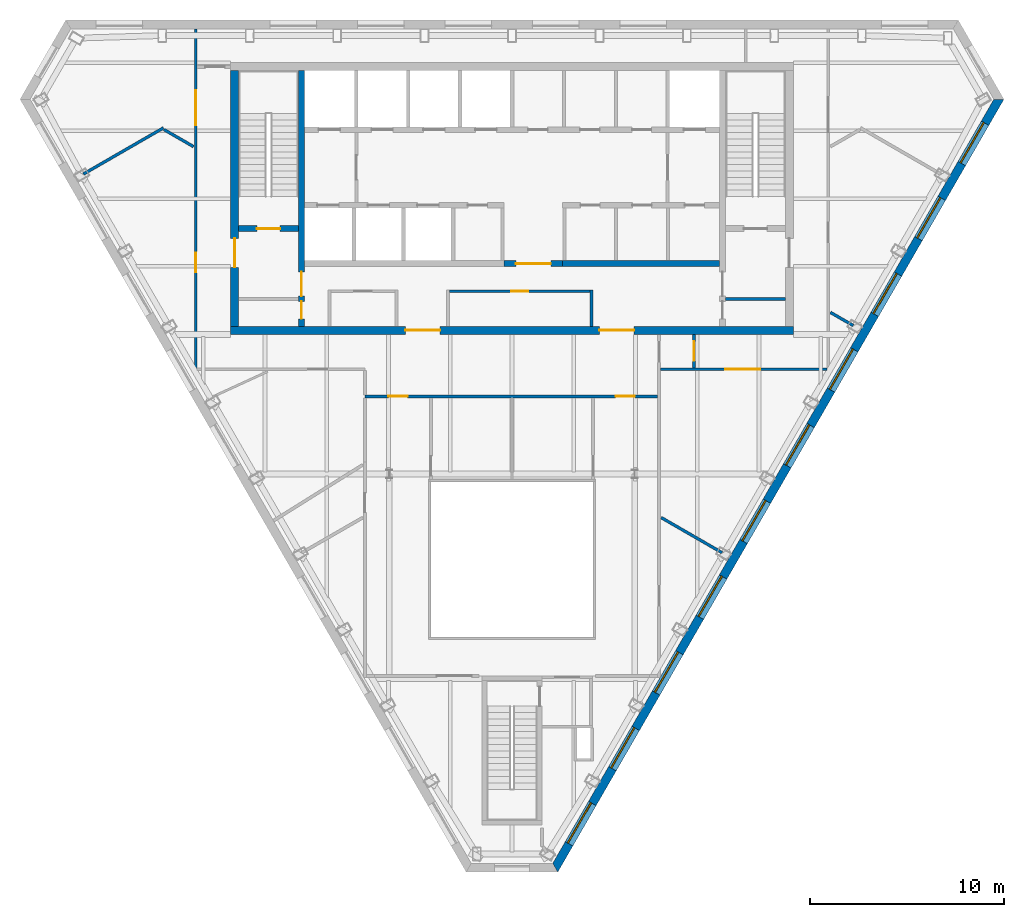
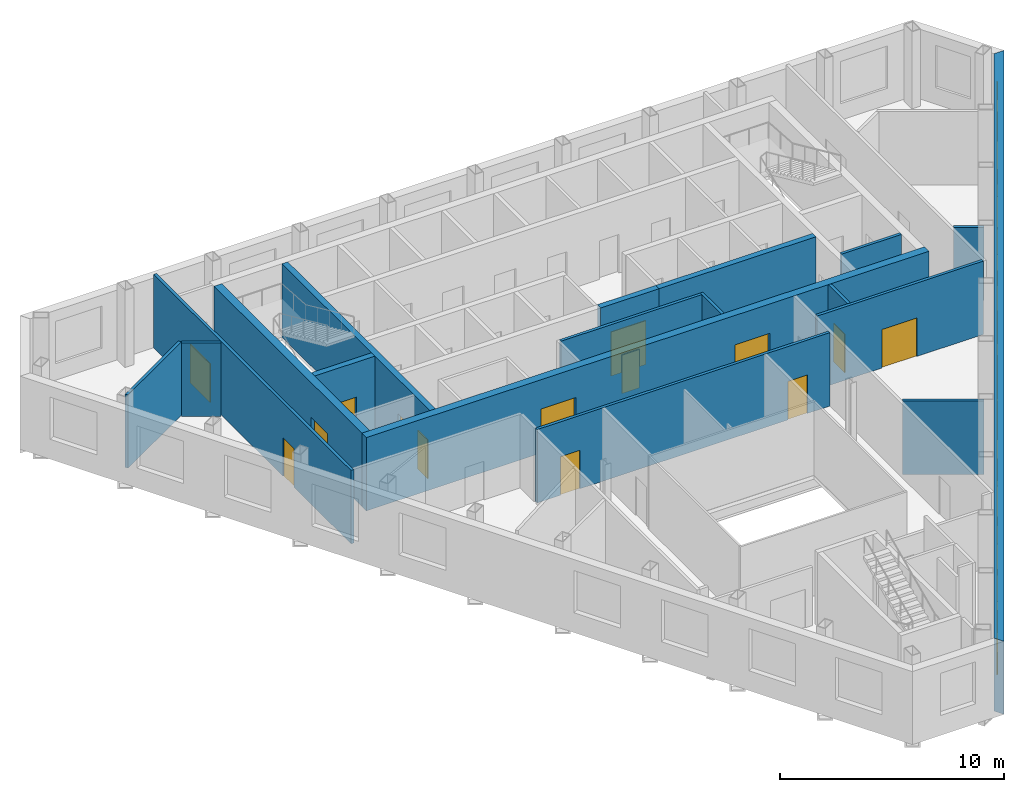
# One storey, part 5 of 10: 18 walls, 14 doors, 10 windows, 24 openings.
"""IFC4 building model written with IfcOpenShell, lengths in metres."""

from ifc_helpers import new_model, si_unit, direction, frame, frame_2d, origin, place, context, subcontext, project, spatial, polyline, rectangle, outline, extrude, material, layer, layer_set, type_object, element, fill, save


model = new_model("IFC4")

# Units and contexts
model_context = context("Model", 3, precision=1e-05, world=origin(), true_north=direction((0.0, 1.0)))
body_context = subcontext(model_context, "Body", "Model", "MODEL_VIEW")
ifc_project = project(units=[si_unit("LENGTHUNIT", "METRE"), si_unit("AREAUNIT", "SQUARE_METRE"), si_unit("VOLUMEUNIT", "CUBIC_METRE"), si_unit("PLANEANGLEUNIT", "RADIAN"), si_unit("MASSUNIT", "GRAM", prefix="KILO")], contexts=[model_context])

# Site, building, storey
site_placement = place(None, origin())
site = spatial("IfcSite", under=ifc_project, at=site_placement, CompositionType="ELEMENT")
building_placement = place(site_placement, origin())
building = spatial("IfcBuilding", under=site, at=building_placement, Name="Njiva Tower", CompositionType="ELEMENT")
storey_placement = place(building_placement, frame((0.0, 0.0, 304.2)))
storey = spatial("IfcBuildingStorey", under=building, at=storey_placement, Name="L69", CompositionType="ELEMENT", Elevation=304.2)

# Walls
ifc_material_1 = material(Name="Blockwork", Category="masonry")
ifc_layer_1 = layer(ifc_material_1, 0.15)
ifc_layer_set_1 = layer_set([ifc_layer_1], Name="Blockwork")
wall_type_1 = type_object("IfcWallType", Name="WT1 Compartment partition 150", PredefinedType="PARTITIONING", material=ifc_layer_set_1)
wall_1_placement = place(storey_placement, frame((11.0, 5.825, 0.0), z_axis=(0.0, 0.0, 1.0), x_axis=(1.0, 0.0, 0.0)))
element("IfcWall", 1, at=wall_1_placement, inside=storey, type_object=wall_type_1, Name="Room wall B", PredefinedType="PARTITIONING", context=body_context, shape_type="SweptSolid", body=[
    extrude(rectangle(XDim=3.1, YDim=0.15, at=frame_2d((1.55, 0.0))), origin(), (0.0, 0.0, 1.0), 4.0),
])
wall_2_placement = place(storey_placement, frame((4.1, 4.4, 0.0), z_axis=(0.0, 0.0, 1.0), x_axis=(0.0, 1.0, 0.0)))
element("IfcWall", 2, at=wall_2_placement, inside=storey, type_object=wall_type_1, Name="Concierge office wall east", PredefinedType="PARTITIONING", context=body_context, shape_type="SweptSolid", body=[
    extrude(rectangle(XDim=1.895, YDim=0.15, at=frame_2d((0.9475, 0.0))), origin(), (0.0, 0.0, 1.0), 4.0),
])

# Wall, opening, door
wall_3_placement = place(storey_placement, frame((-3.225, 6.22, 0.0), z_axis=(0.0, 0.0, 1.0), x_axis=(1.0, 0.0, 0.0)))
wall_3 = element("IfcWall", 3, at=wall_3_placement, inside=storey, type_object=wall_type_1, Name="Concierge office wall north", PredefinedType="PARTITIONING", context=body_context, shape_type="SweptSolid", body=[
    extrude(rectangle(XDim=7.25, YDim=0.15, at=frame_2d((3.625, 0.0))), origin(), (0.0, 0.0, 1.0), 4.0),
])
opening_1_placement = place(wall_3_placement, frame((3.175, 0.0, 0.0)))
opening_1 = element("IfcOpeningElement", 4, at=opening_1_placement, cuts=wall_3, Name="Opening S23-D927", PredefinedType="OPENING", context=body_context, shape_type="SweptSolid", body=[
    extrude(rectangle(XDim=0.9, YDim=2.1, at=frame_2d((0.45, 1.05))), frame((0.0, 0.085, 0.0), z_axis=(0.0, -1.0, 0.0), x_axis=(1.0, 0.0, 0.0)), (0.0, 0.0, 1.0), 0.17),
])
ifc_material_2 = material(Name="Steel fire door, painted", Category="steel")
door_type_1 = type_object("IfcDoorType", Name="D6 Fire-rated door 900x2100", OperationType="SINGLE_SWING_LEFT", PredefinedType="DOOR", material=ifc_material_2)
door_1_placement = place(opening_1_placement, origin())
door_1 = element("IfcDoor", 5, at=door_1_placement, inside=storey, type_object=door_type_1, Name="Concierge office door", OperationType="SINGLE_SWING_LEFT", OverallHeight=2.1, OverallWidth=0.9, PredefinedType="DOOR", context=body_context, shape_type="SweptSolid", body=[
    extrude(rectangle(XDim=0.9, YDim=2.1, at=frame_2d((0.45, 1.05))), frame((0.0, 0.025, 0.0), z_axis=(0.0, -1.0, 0.0), x_axis=(1.0, 0.0, 0.0)), (0.0, 0.0, 1.0), 0.05),
])
fill(opening_1, door_1)

# Wall, openings, doors
ifc_material_3 = material(Name="Concrete C40/50", Category="concrete")
ifc_layer_2 = layer(ifc_material_3, 0.3)
ifc_layer_set_2 = layer_set([ifc_layer_2], Name="Concrete C40/50")
wall_type_2 = type_object("IfcWallType", Name="WT10 Stair enclosure wall 300", PredefinedType="SHEAR", material=ifc_layer_set_2)
wall_4_placement = place(storey_placement, frame((-10.85, 4.4, 0.0), z_axis=(0.0, 0.0, 1.0), x_axis=(0.0, 1.0, 0.0)))
wall_4 = element("IfcWall", 6, at=wall_4_placement, inside=storey, type_object=wall_type_2, Name="Stair wall west inner", PredefinedType="SHEAR", context=body_context, shape_type="SweptSolid", body=[
    extrude(rectangle(XDim=13.2, YDim=0.3, at=frame_2d((6.6, 0.0))), origin(), (0.0, 0.0, 1.0), 4.0),
])
opening_2_placement = place(wall_4_placement, frame((1.575, 0.0, 0.0)))
opening_2 = element("IfcOpeningElement", 7, at=opening_2_placement, cuts=wall_4, Name="Opening S23-D918", PredefinedType="OPENING", context=body_context, shape_type="SweptSolid", body=[
    extrude(rectangle(XDim=1.25, YDim=2.1, at=frame_2d((0.625, 1.05))), frame((0.0, 0.16, 0.0), z_axis=(0.0, -1.0, 0.0), x_axis=(1.0, 0.0, 0.0)), (0.0, 0.0, 1.0), 0.32),
])
opening_3_placement = place(wall_4_placement, frame((0.4, 0.0, 0.0)))
opening_3 = element("IfcOpeningElement", 8, at=opening_3_placement, cuts=wall_4, Name="Opening S23-D920", PredefinedType="OPENING", context=body_context, shape_type="SweptSolid", body=[
    extrude(rectangle(XDim=0.9, YDim=2.1, at=frame_2d((0.45, 1.05))), frame((0.0, 0.16, 0.0), z_axis=(0.0, -1.0, 0.0), x_axis=(1.0, 0.0, 0.0)), (0.0, 0.0, 1.0), 0.32),
])
ifc_material_4 = material(Name="Steel door, painted", Category="steel")
door_type_2 = type_object("IfcDoorType", Name="D13 Steel door 900x2100", OperationType="SINGLE_SWING_LEFT", PredefinedType="DOOR", material=ifc_material_4)
door_2_placement = place(opening_3_placement, origin())
door_2 = element("IfcDoor", 9, at=door_2_placement, inside=storey, type_object=door_type_2, Name="Business centre door", OperationType="SINGLE_SWING_RIGHT", OverallHeight=2.1, OverallWidth=0.9, PredefinedType="DOOR", context=body_context, shape_type="SweptSolid", body=[
    extrude(rectangle(XDim=0.9, YDim=2.1, at=frame_2d((0.45, 1.05))), frame((0.0, 0.025, 0.0), z_axis=(0.0, -1.0, 0.0), x_axis=(1.0, 0.0, 0.0)), (0.0, 0.0, 1.0), 0.05),
])
fill(opening_3, door_2)
ifc_material_5 = material(Name="Glazed steel fire door", Category="steel")
door_type_3 = type_object("IfcDoorType", Name="D8 Vestibule corridor door 1250x2100 glazed", OperationType="SINGLE_SWING_LEFT", PredefinedType="DOOR", material=ifc_material_5)
door_3_placement = place(opening_2_placement, origin())
door_3 = element("IfcDoor", 10, at=door_3_placement, inside=storey, type_object=door_type_3, Name="Stair vestibule corridor door", OperationType="SINGLE_SWING_LEFT", OverallHeight=2.1, OverallWidth=1.25, PredefinedType="DOOR", context=body_context, shape_type="SweptSolid", body=[
    extrude(rectangle(XDim=1.25, YDim=2.1, at=frame_2d((0.625, 1.05))), frame((0.0, 0.025, 0.0), z_axis=(0.0, -1.0, 0.0), x_axis=(1.0, 0.0, 0.0)), (0.0, 0.0, 1.0), 0.05),
])
fill(opening_2, door_3)

# Wall, opening, door
wall_5_placement = place(storey_placement, frame((-14.1, 9.45, 0.0), z_axis=(0.0, 0.0, 1.0), x_axis=(1.0, 0.0, 0.0)))
wall_5 = element("IfcWall", 11, at=wall_5_placement, inside=storey, type_object=wall_type_2, Name="Stair A south wall", PredefinedType="SHEAR", context=body_context, shape_type="SweptSolid", body=[
    extrude(rectangle(XDim=3.1, YDim=0.3, at=frame_2d((1.55, 0.0))), origin(), (0.0, 0.0, 1.0), 4.0),
])
opening_4_placement = place(wall_5_placement, frame((0.95, 0.0, 0.0)))
opening_4 = element("IfcOpeningElement", 12, at=opening_4_placement, cuts=wall_5, Name="Opening S23-D917", PredefinedType="OPENING", context=body_context, shape_type="SweptSolid", body=[
    extrude(rectangle(XDim=1.2, YDim=2.1, at=frame_2d((0.6, 1.05))), frame((0.0, 0.16, 0.0), z_axis=(0.0, -1.0, 0.0), x_axis=(1.0, 0.0, 0.0)), (0.0, 0.0, 1.0), 0.32),
])
door_type_4 = type_object("IfcDoorType", Name="D7 Stair vestibule door 1200x2100 glazed", OperationType="SINGLE_SWING_LEFT", PredefinedType="DOOR", material=ifc_material_5)
door_4_placement = place(opening_4_placement, origin())
door_4 = element("IfcDoor", 13, at=door_4_placement, inside=storey, type_object=door_type_4, Name="Stair A door", OperationType="SINGLE_SWING_LEFT", OverallHeight=2.1, OverallWidth=1.2, PredefinedType="DOOR", context=body_context, shape_type="SweptSolid", body=[
    extrude(rectangle(XDim=1.2, YDim=2.1, at=frame_2d((0.6, 1.05))), frame((0.0, 0.025, 0.0), z_axis=(0.0, -1.0, 0.0), x_axis=(1.0, 0.0, 0.0)), (0.0, 0.0, 1.0), 0.05),
])
fill(opening_4, door_4)

# Wall, openings, doors
ifc_material_6 = material(Name="Concrete C60/75", Category="concrete")
ifc_layer_3 = layer(ifc_material_6, 0.4)
ifc_layer_set_3 = layer_set([ifc_layer_3], Name="Concrete C60/75")
wall_type_3 = type_object("IfcWallType", Name="WT11 Core wall 400", PredefinedType="SHEAR", material=ifc_layer_set_3)
wall_6_placement = place(storey_placement, frame((-14.5, 4.2, 0.0), z_axis=(0.0, 0.0, 1.0), x_axis=(1.0, 0.0, 0.0)))
wall_6 = element("IfcWall", 14, at=wall_6_placement, inside=storey, type_object=wall_type_3, Name="Core wall south", PredefinedType="SHEAR", context=body_context, shape_type="SweptSolid", body=[
    extrude(rectangle(XDim=29.0, YDim=0.4, at=frame_2d((14.5, 0.0))), origin(), (0.0, 0.0, 1.0), 4.0),
])
opening_5_placement = place(wall_6_placement, frame((9.0, 0.0, 0.0)))
opening_5 = element("IfcOpeningElement", 15, at=opening_5_placement, cuts=wall_6, Name="Opening S23-D929", PredefinedType="OPENING", context=body_context, shape_type="SweptSolid", body=[
    extrude(rectangle(XDim=1.8, YDim=2.4, at=frame_2d((0.9, 1.2))), frame((0.0, 0.21, 0.0), z_axis=(0.0, -1.0, 0.0), x_axis=(1.0, 0.0, 0.0)), (0.0, 0.0, 1.0), 0.42),
])
opening_6_placement = place(wall_6_placement, frame((19.0, 0.0, 0.0)))
opening_6 = element("IfcOpeningElement", 16, at=opening_6_placement, cuts=wall_6, Name="Opening S23-D930", PredefinedType="OPENING", context=body_context, shape_type="SweptSolid", body=[
    extrude(rectangle(XDim=1.8, YDim=2.4, at=frame_2d((0.9, 1.2))), frame((0.0, 0.21, 0.0), z_axis=(0.0, -1.0, 0.0), x_axis=(1.0, 0.0, 0.0)), (0.0, 0.0, 1.0), 0.42),
])
ifc_material_7 = material(Name="Steel and glass door", Category="steel")
door_type_5 = type_object("IfcDoorType", Name="D3 Core entrance door 1800x2400", OperationType="DOUBLE_DOOR_SINGLE_SWING", PredefinedType="DOOR", material=ifc_material_7)
door_5_placement = place(opening_5_placement, origin())
door_5 = element("IfcDoor", 17, at=door_5_placement, inside=storey, type_object=door_type_5, Name="Core entrance door", OperationType="DOUBLE_DOOR_SINGLE_SWING", OverallHeight=2.4, OverallWidth=1.8, PredefinedType="DOOR", context=body_context, shape_type="SweptSolid", body=[
    extrude(rectangle(XDim=1.8, YDim=2.4, at=frame_2d((0.9, 1.2))), frame((0.0, 0.025, 0.0), z_axis=(0.0, -1.0, 0.0), x_axis=(1.0, 0.0, 0.0)), (0.0, 0.0, 1.0), 0.05),
])
fill(opening_5, door_5)
door_6_placement = place(opening_6_placement, origin())
door_6 = element("IfcDoor", 18, at=door_6_placement, inside=storey, type_object=door_type_5, Name="Core entrance door", OperationType="DOUBLE_DOOR_SINGLE_SWING", OverallHeight=2.4, OverallWidth=1.8, PredefinedType="DOOR", context=body_context, shape_type="SweptSolid", body=[
    extrude(rectangle(XDim=1.8, YDim=2.4, at=frame_2d((0.9, 1.2))), frame((0.0, 0.025, 0.0), z_axis=(0.0, -1.0, 0.0), x_axis=(1.0, 0.0, 0.0)), (0.0, 0.0, 1.0), 0.05),
])
fill(opening_6, door_6)

# Wall, opening, door
wall_7_placement = place(storey_placement, frame((-14.3, 4.4, 0.0), z_axis=(0.0, 0.0, 1.0), x_axis=(0.0, 1.0, 0.0)))
wall_7 = element("IfcWall", 19, at=wall_7_placement, inside=storey, type_object=wall_type_3, Name="Core wall west", PredefinedType="SHEAR", context=body_context, shape_type="SweptSolid", body=[
    extrude(rectangle(XDim=13.2, YDim=0.4, at=frame_2d((6.6, 0.0))), origin(), (0.0, 0.0, 1.0), 4.0),
])
opening_7_placement = place(wall_7_placement, frame((3.05, 0.0, 0.0)))
opening_7 = element("IfcOpeningElement", 20, at=opening_7_placement, cuts=wall_7, Name="Opening S23-D919", PredefinedType="OPENING", context=body_context, shape_type="SweptSolid", body=[
    extrude(rectangle(XDim=1.5, YDim=2.1, at=frame_2d((0.75, 1.05))), frame((0.0, 0.21, 0.0), z_axis=(0.0, -1.0, 0.0), x_axis=(1.0, 0.0, 0.0)), (0.0, 0.0, 1.0), 0.42),
])
door_type_6 = type_object("IfcDoorType", Name="D10 Exit door double 1500x2100 glazed", OperationType="DOUBLE_DOOR_SINGLE_SWING", PredefinedType="DOOR", material=ifc_material_5)
door_7_placement = place(opening_7_placement, origin())
door_7 = element("IfcDoor", 21, at=door_7_placement, inside=storey, type_object=door_type_6, Name="Stair A corridor door", OperationType="DOUBLE_DOOR_SINGLE_SWING", OverallHeight=2.1, OverallWidth=1.5, PredefinedType="DOOR", context=body_context, shape_type="SweptSolid", body=[
    extrude(rectangle(XDim=1.5, YDim=2.1, at=frame_2d((0.75, 1.05))), frame((0.0, 0.025, 0.0), z_axis=(0.0, -1.0, 0.0), x_axis=(1.0, 0.0, 0.0)), (0.0, 0.0, 1.0), 0.05),
])
fill(opening_7, door_7)

# Walls
ifc_material_8 = material(Name="Gypsum board on steel studs", Category="gypsum")
ifc_layer_4 = layer(ifc_material_8, 0.15)
ifc_layer_set_4 = layer_set([ifc_layer_4], Name="Gypsum board on steel studs")
wall_type_4 = type_object("IfcWallType", Name="WT21 Compartment wall 150", PredefinedType="PARTITIONING", material=ifc_layer_set_4)
wall_8_placement = place(storey_placement, frame((-22.092, 12.261, 0.0), z_axis=(0.0, 0.0, 1.0), x_axis=(0.866248432975, 0.499613502989, 0.0)))
element("IfcWall", 22, at=wall_8_placement, inside=storey, type_object=wall_type_4, Name="Partition S23-P001", PredefinedType="PARTITIONING", context=body_context, shape_type="SweptSolid", body=[
    extrude(rectangle(XDim=4.7677, YDim=0.15, at=frame_2d((2.3838, 0.0))), origin(), (0.0, 0.0, 1.0), 4.0),
])
wall_9_placement = place(storey_placement, frame((-17.938, 14.555, 0.0), z_axis=(0.0, 0.0, 1.0), x_axis=(0.866034375916, -0.49998445949, 0.0)))
element("IfcWall", 23, at=wall_9_placement, inside=storey, type_object=wall_type_4, Name="Partition S23-P002", PredefinedType="PARTITIONING", context=body_context, shape_type="SweptSolid", body=[
    extrude(rectangle(XDim=1.7621, YDim=0.15, at=frame_2d((0.881, 0.0))), origin(), (0.0, 0.0, 1.0), 4.0),
])

# Wall, openings, doors
wall_10_placement = place(storey_placement, frame((-16.3, 2.125, 0.0), z_axis=(0.0, 0.0, 1.0), x_axis=(0.0, 1.0, 0.0)))
wall_10 = element("IfcWall", 24, at=wall_10_placement, inside=storey, type_object=wall_type_4, Name="Partition S23-P003", PredefinedType="PARTITIONING", context=body_context, shape_type="SweptSolid", body=[
    extrude(rectangle(XDim=17.623, YDim=0.15, at=frame_2d((8.8115, 0.0))), origin(), (0.0, 0.0, 1.0), 4.0),
])
opening_8_placement = place(wall_10_placement, frame((5.078, 0.0, 0.0)))
opening_8 = element("IfcOpeningElement", 25, at=opening_8_placement, cuts=wall_10, Name="Opening S23-D001", PredefinedType="OPENING", context=body_context, shape_type="SweptSolid", body=[
    extrude(rectangle(XDim=1.0, YDim=2.1, at=frame_2d((0.5, 1.05))), frame((0.0, 0.085, 0.0), z_axis=(0.0, -1.0, 0.0), x_axis=(1.0, 0.0, 0.0)), (0.0, 0.0, 1.0), 0.17),
])
opening_9_placement = place(wall_10_placement, frame((12.654, 0.0, 0.0)))
opening_9 = element("IfcOpeningElement", 26, at=opening_9_placement, cuts=wall_10, Name="Opening S23-D002", PredefinedType="OPENING", context=body_context, shape_type="SweptSolid", body=[
    extrude(rectangle(XDim=1.8, YDim=2.1, at=frame_2d((0.9, 1.05))), frame((0.0, 0.085, 0.0), z_axis=(0.0, -1.0, 0.0), x_axis=(1.0, 0.0, 0.0)), (0.0, 0.0, 1.0), 0.17),
])
ifc_material_9 = material(Name="Steel fire door set", Category="steel")
door_type_7 = type_object("IfcDoorType", Name="D37 Fire door 1000x2100", OperationType="SINGLE_SWING_LEFT", PredefinedType="DOOR", material=ifc_material_9)
door_8_placement = place(opening_8_placement, origin())
door_8 = element("IfcDoor", 27, at=door_8_placement, inside=storey, type_object=door_type_7, Name="Door S23-D001", OperationType="SINGLE_SWING_RIGHT", OverallHeight=2.1, OverallWidth=1.0, PredefinedType="DOOR", context=body_context, shape_type="SweptSolid", body=[
    extrude(rectangle(XDim=1.0, YDim=2.1, at=frame_2d((0.5, 1.05))), frame((0.0, 0.025, 0.0), z_axis=(0.0, -1.0, 0.0), x_axis=(1.0, 0.0, 0.0)), (0.0, 0.0, 1.0), 0.05),
])
fill(opening_8, door_8)
door_type_8 = type_object("IfcDoorType", Name="D38 Fire door 1800x2100", OperationType="DOUBLE_DOOR_SINGLE_SWING", PredefinedType="DOOR", material=ifc_material_9)
door_9_placement = place(opening_9_placement, origin())
door_9 = element("IfcDoor", 28, at=door_9_placement, inside=storey, type_object=door_type_8, Name="Door S23-D002", OperationType="DOUBLE_DOOR_SINGLE_SWING", OverallHeight=2.1, OverallWidth=1.8, PredefinedType="DOOR", context=body_context, shape_type="SweptSolid", body=[
    extrude(rectangle(XDim=1.8, YDim=2.1, at=frame_2d((0.9, 1.05))), frame((0.0, 0.025, 0.0), z_axis=(0.0, -1.0, 0.0), x_axis=(1.0, 0.0, 0.0)), (0.0, 0.0, 1.0), 0.05),
])
fill(opening_9, door_9)

wall_11_placement = place(storey_placement, frame((-7.58, 0.8, 0.0), z_axis=(0.0, 0.0, 1.0), x_axis=(1.0, 0.0, 0.0)))
wall_11 = element("IfcWall", 29, at=wall_11_placement, inside=storey, type_object=wall_type_4, Name="Partition S23-P011", PredefinedType="PARTITIONING", context=body_context, shape_type="SweptSolid", body=[
    extrude(rectangle(XDim=15.085, YDim=0.15, at=frame_2d((7.5425, 0.0))), origin(), (0.0, 0.0, 1.0), 4.0),
])
opening_10_placement = place(wall_11_placement, frame((1.206, 0.0, 0.0)))
opening_10 = element("IfcOpeningElement", 30, at=opening_10_placement, cuts=wall_11, Name="Opening S23-D006", PredefinedType="OPENING", context=body_context, shape_type="SweptSolid", body=[
    extrude(rectangle(XDim=1.0, YDim=2.1, at=frame_2d((0.5, 1.05))), frame((0.0, 0.085, 0.0), z_axis=(0.0, -1.0, 0.0), x_axis=(1.0, 0.0, 0.0)), (0.0, 0.0, 1.0), 0.17),
])
opening_11_placement = place(wall_11_placement, frame((12.917, 0.0, 0.0)))
opening_11 = element("IfcOpeningElement", 31, at=opening_11_placement, cuts=wall_11, Name="Opening S23-D007", PredefinedType="OPENING", context=body_context, shape_type="SweptSolid", body=[
    extrude(rectangle(XDim=1.0, YDim=2.1, at=frame_2d((0.5, 1.05))), frame((0.0, 0.085, 0.0), z_axis=(0.0, -1.0, 0.0), x_axis=(1.0, 0.0, 0.0)), (0.0, 0.0, 1.0), 0.17),
])
door_10_placement = place(opening_10_placement, origin())
door_10 = element("IfcDoor", 32, at=door_10_placement, inside=storey, type_object=door_type_7, Name="Door S23-D006", OperationType="SINGLE_SWING_RIGHT", OverallHeight=2.1, OverallWidth=1.0, PredefinedType="DOOR", context=body_context, shape_type="SweptSolid", body=[
    extrude(rectangle(XDim=1.0, YDim=2.1, at=frame_2d((0.5, 1.05))), frame((0.0, 0.025, 0.0), z_axis=(0.0, -1.0, 0.0), x_axis=(1.0, 0.0, 0.0)), (0.0, 0.0, 1.0), 0.05),
])
fill(opening_10, door_10)
door_11_placement = place(opening_11_placement, origin())
door_11 = element("IfcDoor", 33, at=door_11_placement, inside=storey, type_object=door_type_7, Name="Door S23-D007", OperationType="SINGLE_SWING_LEFT", OverallHeight=2.1, OverallWidth=1.0, PredefinedType="DOOR", context=body_context, shape_type="SweptSolid", body=[
    extrude(rectangle(XDim=1.0, YDim=2.1, at=frame_2d((0.5, 1.05))), frame((0.0, 0.025, 0.0), z_axis=(0.0, -1.0, 0.0), x_axis=(1.0, 0.0, 0.0)), (0.0, 0.0, 1.0), 0.05),
])
fill(opening_11, door_11)

# Wall, opening, door
wall_12_placement = place(storey_placement, frame((7.655, 2.2, 0.0), z_axis=(0.0, 0.0, 1.0), x_axis=(1.0, 0.0, 0.0)))
wall_12 = element("IfcWall", 34, at=wall_12_placement, inside=storey, type_object=wall_type_4, Name="Partition S23-P021", PredefinedType="PARTITIONING", context=body_context, shape_type="SweptSolid", body=[
    extrude(rectangle(XDim=8.57, YDim=0.15, at=frame_2d((4.285, 0.0))), origin(), (0.0, 0.0, 1.0), 4.0),
])
opening_12_placement = place(wall_12_placement, frame((3.334, 0.0, 0.0)))
opening_12 = element("IfcOpeningElement", 35, at=opening_12_placement, cuts=wall_12, Name="Opening S23-D013", PredefinedType="OPENING", context=body_context, shape_type="SweptSolid", body=[
    extrude(rectangle(XDim=1.8, YDim=2.1, at=frame_2d((0.9, 1.05))), frame((0.0, 0.085, 0.0), z_axis=(0.0, -1.0, 0.0), x_axis=(1.0, 0.0, 0.0)), (0.0, 0.0, 1.0), 0.17),
])
door_12_placement = place(opening_12_placement, origin())
door_12 = element("IfcDoor", 36, at=door_12_placement, inside=storey, type_object=door_type_8, Name="Door S23-D013", OperationType="DOUBLE_DOOR_SINGLE_SWING", OverallHeight=2.1, OverallWidth=1.8, PredefinedType="DOOR", context=body_context, shape_type="SweptSolid", body=[
    extrude(rectangle(XDim=1.8, YDim=2.1, at=frame_2d((0.9, 1.05))), frame((0.0, 0.025, 0.0), z_axis=(0.0, -1.0, 0.0), x_axis=(1.0, 0.0, 0.0)), (0.0, 0.0, 1.0), 0.05),
])
fill(opening_12, door_12)

# Wall
wall_13_placement = place(storey_placement, frame((7.692, -5.445, 0.0), z_axis=(0.0, 0.0, 1.0), x_axis=(0.866194788555, -0.49970650214, 0.0)))
element("IfcWall", 37, at=wall_13_placement, inside=storey, type_object=wall_type_4, Name="Partition S23-P022", PredefinedType="PARTITIONING", context=body_context, shape_type="SweptSolid", body=[
    extrude(rectangle(XDim=3.6181, YDim=0.15, at=frame_2d((1.809, 0.0))), origin(), (0.0, 0.0, 1.0), 4.0),
])

# Wall, opening, door
wall_14_placement = place(storey_placement, frame((9.38, 2.275, 0.0), z_axis=(0.0, 0.0, 1.0), x_axis=(0.0, 1.0, 0.0)))
wall_14 = element("IfcWall", 38, at=wall_14_placement, inside=storey, type_object=wall_type_4, Name="Partition S23-P023", PredefinedType="PARTITIONING", context=body_context, shape_type="SweptSolid", body=[
    extrude(rectangle(XDim=1.725, YDim=0.15, at=frame_2d((0.8625, 0.0))), origin(), (0.0, 0.0, 1.0), 4.0),
])
opening_13_placement = place(wall_14_placement, frame((0.362, 0.0, 0.0)))
opening_13 = element("IfcOpeningElement", 39, at=opening_13_placement, cuts=wall_14, Name="Opening S23-D014", PredefinedType="OPENING", context=body_context, shape_type="SweptSolid", body=[
    extrude(rectangle(XDim=1.0, YDim=2.1, at=frame_2d((0.5, 1.05))), frame((0.0, 0.085, 0.0), z_axis=(0.0, -1.0, 0.0), x_axis=(1.0, 0.0, 0.0)), (0.0, 0.0, 1.0), 0.17),
])
door_13_placement = place(opening_13_placement, origin())
door_13 = element("IfcDoor", 40, at=door_13_placement, inside=storey, type_object=door_type_7, Name="Door S23-D014", OperationType="SINGLE_SWING_LEFT", OverallHeight=2.1, OverallWidth=1.0, PredefinedType="DOOR", context=body_context, shape_type="SweptSolid", body=[
    extrude(rectangle(XDim=1.0, YDim=2.1, at=frame_2d((0.5, 1.05))), frame((0.0, 0.025, 0.0), z_axis=(0.0, -1.0, 0.0), x_axis=(1.0, 0.0, 0.0)), (0.0, 0.0, 1.0), 0.05),
])
fill(opening_13, door_13)

# Wall
wall_15_placement = place(storey_placement, frame((16.412, 5.131, 0.0), z_axis=(0.0, 0.0, 1.0), x_axis=(0.866419132933, -0.499317420173, 0.0)))
element("IfcWall", 41, at=wall_15_placement, inside=storey, type_object=wall_type_4, Name="Partition S23-P027", PredefinedType="PARTITIONING", context=body_context, shape_type="SweptSolid", body=[
    extrude(rectangle(XDim=1.3538, YDim=0.15, at=frame_2d((0.6769, 0.0))), origin(), (0.0, 0.0, 1.0), 4.0),
])

# Wall, opening, door
ifc_layer_5 = layer(ifc_material_1, 0.3)
ifc_layer_set_5 = layer_set([ifc_layer_5], Name="Blockwork")
wall_type_5 = type_object("IfcWallType", Name="WT5 Lobby partition 300", PredefinedType="PARTITIONING", material=ifc_layer_set_5)
wall_16_placement = place(storey_placement, frame((-0.4, 7.65, 0.0), z_axis=(0.0, 0.0, 1.0), x_axis=(1.0, 0.0, 0.0)))
wall_16 = element("IfcWall", 42, at=wall_16_placement, inside=storey, type_object=wall_type_5, Name="Lift lobby screen wall", PredefinedType="PARTITIONING", context=body_context, shape_type="SweptSolid", body=[
    extrude(rectangle(XDim=3.0, YDim=0.3, at=frame_2d((1.5, 0.0))), origin(), (0.0, 0.0, 1.0), 4.0),
])
opening_14_placement = place(wall_16_placement, frame((0.6, 0.0, 0.0)))
opening_14 = element("IfcOpeningElement", 43, at=opening_14_placement, cuts=wall_16, Name="Opening S23-D928", PredefinedType="OPENING", context=body_context, shape_type="SweptSolid", body=[
    extrude(rectangle(XDim=1.8, YDim=2.4, at=frame_2d((0.9, 1.2))), frame((0.0, 0.16, 0.0), z_axis=(0.0, -1.0, 0.0), x_axis=(1.0, 0.0, 0.0)), (0.0, 0.0, 1.0), 0.32),
])
door_14_placement = place(opening_14_placement, origin())
door_14 = element("IfcDoor", 44, at=door_14_placement, inside=storey, type_object=door_type_5, Name="Core entrance door", OperationType="DOUBLE_DOOR_SINGLE_SWING", OverallHeight=2.4, OverallWidth=1.8, PredefinedType="DOOR", context=body_context, shape_type="SweptSolid", body=[
    extrude(rectangle(XDim=1.8, YDim=2.4, at=frame_2d((0.9, 1.2))), frame((0.0, 0.025, 0.0), z_axis=(0.0, -1.0, 0.0), x_axis=(1.0, 0.0, 0.0)), (0.0, 0.0, 1.0), 0.05),
])
fill(opening_14, door_14)

# Wall
ifc_layer_6 = layer(ifc_material_3, 0.3)
ifc_layer_set_6 = layer_set([ifc_layer_6], Name="Concrete C40/50")
wall_type_6 = type_object("IfcWallType", Name="WT7 Lift shaft wall 300", PredefinedType="SHEAR", material=ifc_layer_set_6)
wall_17_placement = place(storey_placement, frame((2.6, 7.65, 0.0), z_axis=(0.0, 0.0, 1.0), x_axis=(1.0, 0.0, 0.0)))
element("IfcWall", 45, at=wall_17_placement, inside=storey, type_object=wall_type_6, Name="Shaft wall south row back E", PredefinedType="SHEAR", context=body_context, shape_type="SweptSolid", body=[
    extrude(rectangle(XDim=8.1, YDim=0.3, at=frame_2d((4.05, 0.0))), origin(), (0.0, 0.0, 1.0), 4.0),
])

# Wall, openings, windows
ifc_material_10 = material(Name="Brick masonry", Category="masonry")
ifc_layer_7 = layer(ifc_material_10, 0.45)
ifc_layer_set_7 = layer_set([ifc_layer_7], Name="Brick masonry")
wall_type_7 = type_object("IfcWallType", Name="WT90 Brick pier and spandrel wall 450", PredefinedType="SOLIDWALL", material=ifc_layer_set_7)
wall_18_placement = place(storey_placement, frame((2.2301, -23.4911, -0.18), z_axis=(0.0, 0.0, 1.0), x_axis=(0.500000141277, 0.866025322218, 0.0)))
wall_18 = element("IfcWall", 46, at=wall_18_placement, inside=storey, type_object=wall_type_7, Name="Facade wall SE", PredefinedType="SOLIDWALL", context=body_context, shape_type="SweptSolid", body=[
    extrude(outline(polyline([(-0.1299, -0.225), (45.8601, -0.225), (45.6003, 0.225), (0.1299, 0.225), (-0.1299, -0.225)])), origin(), (0.0, 0.0, 1.0), 3.98),
])
opening_15_placement = place(wall_18_placement, frame((1.4237, 0.0, 1.08)))
opening_15 = element("IfcOpeningElement", 47, at=opening_15_placement, cuts=wall_18, Name="Opening S23-W19", PredefinedType="OPENING", context=body_context, shape_type="SweptSolid", body=[
    extrude(rectangle(XDim=2.4, YDim=2.3, at=frame_2d((1.2, 1.15))), frame((0.0, 0.235, 0.0), z_axis=(0.0, -1.0, 0.0), x_axis=(1.0, 0.0, 0.0)), (0.0, 0.0, 1.0), 0.47),
])
opening_16_placement = place(wall_18_placement, frame((5.8919, 0.0, 1.08)))
opening_16 = element("IfcOpeningElement", 48, at=opening_16_placement, cuts=wall_18, Name="Opening S23-W20", PredefinedType="OPENING", context=body_context, shape_type="SweptSolid", body=[
    extrude(rectangle(XDim=2.4, YDim=2.3, at=frame_2d((1.2, 1.15))), frame((0.0, 0.235, 0.0), z_axis=(0.0, -1.0, 0.0), x_axis=(1.0, 0.0, 0.0)), (0.0, 0.0, 1.0), 0.47),
])
opening_17_placement = place(wall_18_placement, frame((10.3985, 0.0, 1.08)))
opening_17 = element("IfcOpeningElement", 49, at=opening_17_placement, cuts=wall_18, Name="Opening S23-W21", PredefinedType="OPENING", context=body_context, shape_type="SweptSolid", body=[
    extrude(rectangle(XDim=2.4, YDim=2.3, at=frame_2d((1.2, 1.15))), frame((0.0, 0.235, 0.0), z_axis=(0.0, -1.0, 0.0), x_axis=(1.0, 0.0, 0.0)), (0.0, 0.0, 1.0), 0.47),
])
opening_18_placement = place(wall_18_placement, frame((14.9052, 0.0, 1.08)))
opening_18 = element("IfcOpeningElement", 50, at=opening_18_placement, cuts=wall_18, Name="Opening S23-W22", PredefinedType="OPENING", context=body_context, shape_type="SweptSolid", body=[
    extrude(rectangle(XDim=2.4, YDim=2.3, at=frame_2d((1.2, 1.15))), frame((0.0, 0.235, 0.0), z_axis=(0.0, -1.0, 0.0), x_axis=(1.0, 0.0, 0.0)), (0.0, 0.0, 1.0), 0.47),
])
opening_19_placement = place(wall_18_placement, frame((19.4118, 0.0, 1.08)))
opening_19 = element("IfcOpeningElement", 51, at=opening_19_placement, cuts=wall_18, Name="Opening S23-W23", PredefinedType="OPENING", context=body_context, shape_type="SweptSolid", body=[
    extrude(rectangle(XDim=2.4, YDim=2.3, at=frame_2d((1.2, 1.15))), frame((0.0, 0.235, 0.0), z_axis=(0.0, -1.0, 0.0), x_axis=(1.0, 0.0, 0.0)), (0.0, 0.0, 1.0), 0.47),
])
opening_20_placement = place(wall_18_placement, frame((23.9184, 0.0, 1.08)))
opening_20 = element("IfcOpeningElement", 52, at=opening_20_placement, cuts=wall_18, Name="Opening S23-W24", PredefinedType="OPENING", context=body_context, shape_type="SweptSolid", body=[
    extrude(rectangle(XDim=2.4, YDim=2.3, at=frame_2d((1.2, 1.15))), frame((0.0, 0.235, 0.0), z_axis=(0.0, -1.0, 0.0), x_axis=(1.0, 0.0, 0.0)), (0.0, 0.0, 1.0), 0.47),
])
opening_21_placement = place(wall_18_placement, frame((28.425, 0.0, 1.08)))
opening_21 = element("IfcOpeningElement", 53, at=opening_21_placement, cuts=wall_18, Name="Opening S23-W25", PredefinedType="OPENING", context=body_context, shape_type="SweptSolid", body=[
    extrude(rectangle(XDim=2.4, YDim=2.3, at=frame_2d((1.2, 1.15))), frame((0.0, 0.235, 0.0), z_axis=(0.0, -1.0, 0.0), x_axis=(1.0, 0.0, 0.0)), (0.0, 0.0, 1.0), 0.47),
])
opening_22_placement = place(wall_18_placement, frame((32.9316, 0.0, 1.08)))
opening_22 = element("IfcOpeningElement", 54, at=opening_22_placement, cuts=wall_18, Name="Opening S23-W26", PredefinedType="OPENING", context=body_context, shape_type="SweptSolid", body=[
    extrude(rectangle(XDim=2.4, YDim=2.3, at=frame_2d((1.2, 1.15))), frame((0.0, 0.235, 0.0), z_axis=(0.0, -1.0, 0.0), x_axis=(1.0, 0.0, 0.0)), (0.0, 0.0, 1.0), 0.47),
])
opening_23_placement = place(wall_18_placement, frame((37.4383, 0.0, 1.08)))
opening_23 = element("IfcOpeningElement", 55, at=opening_23_placement, cuts=wall_18, Name="Opening S23-W27", PredefinedType="OPENING", context=body_context, shape_type="SweptSolid", body=[
    extrude(rectangle(XDim=2.4, YDim=2.3, at=frame_2d((1.2, 1.15))), frame((0.0, 0.235, 0.0), z_axis=(0.0, -1.0, 0.0), x_axis=(1.0, 0.0, 0.0)), (0.0, 0.0, 1.0), 0.47),
])
opening_24_placement = place(wall_18_placement, frame((41.9065, 0.0, 1.08)))
opening_24 = element("IfcOpeningElement", 56, at=opening_24_placement, cuts=wall_18, Name="Opening S23-W28", PredefinedType="OPENING", context=body_context, shape_type="SweptSolid", body=[
    extrude(rectangle(XDim=2.4, YDim=2.3, at=frame_2d((1.2, 1.15))), frame((0.0, 0.235, 0.0), z_axis=(0.0, -1.0, 0.0), x_axis=(1.0, 0.0, 0.0)), (0.0, 0.0, 1.0), 0.47),
])
ifc_material_11 = material(Name="Clear glazing in aluminium frame", Category="aluminium")
window_type = type_object("IfcWindowType", Name="W91 Deep-set window 2400x2300", PartitioningType="SINGLE_PANEL", PredefinedType="WINDOW", material=ifc_material_11)
window_1_placement = place(opening_15_placement, origin())
window_1 = element("IfcWindow", 57, at=window_1_placement, inside=storey, type_object=window_type, Name="Window", OverallHeight=2.3, OverallWidth=2.4, PartitioningType="SINGLE_PANEL", PredefinedType="WINDOW", context=body_context, shape_type="SweptSolid", body=[
    extrude(rectangle(XDim=2.4, YDim=2.3, at=frame_2d((1.2, 1.15))), frame((0.0, 0.105, 0.0), z_axis=(0.0, -1.0, 0.0), x_axis=(1.0, 0.0, 0.0)), (0.0, 0.0, 1.0), 0.06),
])
fill(opening_15, window_1)
window_2_placement = place(opening_16_placement, origin())
window_2 = element("IfcWindow", 58, at=window_2_placement, inside=storey, type_object=window_type, Name="Window", OverallHeight=2.3, OverallWidth=2.4, PartitioningType="SINGLE_PANEL", PredefinedType="WINDOW", context=body_context, shape_type="SweptSolid", body=[
    extrude(rectangle(XDim=2.4, YDim=2.3, at=frame_2d((1.2, 1.15))), frame((0.0, 0.105, 0.0), z_axis=(0.0, -1.0, 0.0), x_axis=(1.0, 0.0, 0.0)), (0.0, 0.0, 1.0), 0.06),
])
fill(opening_16, window_2)
window_3_placement = place(opening_17_placement, origin())
window_3 = element("IfcWindow", 59, at=window_3_placement, inside=storey, type_object=window_type, Name="Window", OverallHeight=2.3, OverallWidth=2.4, PartitioningType="SINGLE_PANEL", PredefinedType="WINDOW", context=body_context, shape_type="SweptSolid", body=[
    extrude(rectangle(XDim=2.4, YDim=2.3, at=frame_2d((1.2, 1.15))), frame((0.0, 0.105, 0.0), z_axis=(0.0, -1.0, 0.0), x_axis=(1.0, 0.0, 0.0)), (0.0, 0.0, 1.0), 0.06),
])
fill(opening_17, window_3)
window_4_placement = place(opening_18_placement, origin())
window_4 = element("IfcWindow", 60, at=window_4_placement, inside=storey, type_object=window_type, Name="Window", OverallHeight=2.3, OverallWidth=2.4, PartitioningType="SINGLE_PANEL", PredefinedType="WINDOW", context=body_context, shape_type="SweptSolid", body=[
    extrude(rectangle(XDim=2.4, YDim=2.3, at=frame_2d((1.2, 1.15))), frame((0.0, 0.105, 0.0), z_axis=(0.0, -1.0, 0.0), x_axis=(1.0, 0.0, 0.0)), (0.0, 0.0, 1.0), 0.06),
])
fill(opening_18, window_4)
window_5_placement = place(opening_19_placement, origin())
window_5 = element("IfcWindow", 61, at=window_5_placement, inside=storey, type_object=window_type, Name="Window", OverallHeight=2.3, OverallWidth=2.4, PartitioningType="SINGLE_PANEL", PredefinedType="WINDOW", context=body_context, shape_type="SweptSolid", body=[
    extrude(rectangle(XDim=2.4, YDim=2.3, at=frame_2d((1.2, 1.15))), frame((0.0, 0.105, 0.0), z_axis=(0.0, -1.0, 0.0), x_axis=(1.0, 0.0, 0.0)), (0.0, 0.0, 1.0), 0.06),
])
fill(opening_19, window_5)
window_6_placement = place(opening_20_placement, origin())
window_6 = element("IfcWindow", 62, at=window_6_placement, inside=storey, type_object=window_type, Name="Window", OverallHeight=2.3, OverallWidth=2.4, PartitioningType="SINGLE_PANEL", PredefinedType="WINDOW", context=body_context, shape_type="SweptSolid", body=[
    extrude(rectangle(XDim=2.4, YDim=2.3, at=frame_2d((1.2, 1.15))), frame((0.0, 0.105, 0.0), z_axis=(0.0, -1.0, 0.0), x_axis=(1.0, 0.0, 0.0)), (0.0, 0.0, 1.0), 0.06),
])
fill(opening_20, window_6)
window_7_placement = place(opening_21_placement, origin())
window_7 = element("IfcWindow", 63, at=window_7_placement, inside=storey, type_object=window_type, Name="Window", OverallHeight=2.3, OverallWidth=2.4, PartitioningType="SINGLE_PANEL", PredefinedType="WINDOW", context=body_context, shape_type="SweptSolid", body=[
    extrude(rectangle(XDim=2.4, YDim=2.3, at=frame_2d((1.2, 1.15))), frame((0.0, 0.105, 0.0), z_axis=(0.0, -1.0, 0.0), x_axis=(1.0, 0.0, 0.0)), (0.0, 0.0, 1.0), 0.06),
])
fill(opening_21, window_7)
window_8_placement = place(opening_22_placement, origin())
window_8 = element("IfcWindow", 64, at=window_8_placement, inside=storey, type_object=window_type, Name="Window", OverallHeight=2.3, OverallWidth=2.4, PartitioningType="SINGLE_PANEL", PredefinedType="WINDOW", context=body_context, shape_type="SweptSolid", body=[
    extrude(rectangle(XDim=2.4, YDim=2.3, at=frame_2d((1.2, 1.15))), frame((0.0, 0.105, 0.0), z_axis=(0.0, -1.0, 0.0), x_axis=(1.0, 0.0, 0.0)), (0.0, 0.0, 1.0), 0.06),
])
fill(opening_22, window_8)
window_9_placement = place(opening_23_placement, origin())
window_9 = element("IfcWindow", 65, at=window_9_placement, inside=storey, type_object=window_type, Name="Window", OverallHeight=2.3, OverallWidth=2.4, PartitioningType="SINGLE_PANEL", PredefinedType="WINDOW", context=body_context, shape_type="SweptSolid", body=[
    extrude(rectangle(XDim=2.4, YDim=2.3, at=frame_2d((1.2, 1.15))), frame((0.0, 0.105, 0.0), z_axis=(0.0, -1.0, 0.0), x_axis=(1.0, 0.0, 0.0)), (0.0, 0.0, 1.0), 0.06),
])
fill(opening_23, window_9)
window_10_placement = place(opening_24_placement, origin())
window_10 = element("IfcWindow", 66, at=window_10_placement, inside=storey, type_object=window_type, Name="Window", OverallHeight=2.3, OverallWidth=2.4, PartitioningType="SINGLE_PANEL", PredefinedType="WINDOW", context=body_context, shape_type="SweptSolid", body=[
    extrude(rectangle(XDim=2.4, YDim=2.3, at=frame_2d((1.2, 1.15))), frame((0.0, 0.105, 0.0), z_axis=(0.0, -1.0, 0.0), x_axis=(1.0, 0.0, 0.0)), (0.0, 0.0, 1.0), 0.06),
])
fill(opening_24, window_10)

save(model, "model.ifc")
